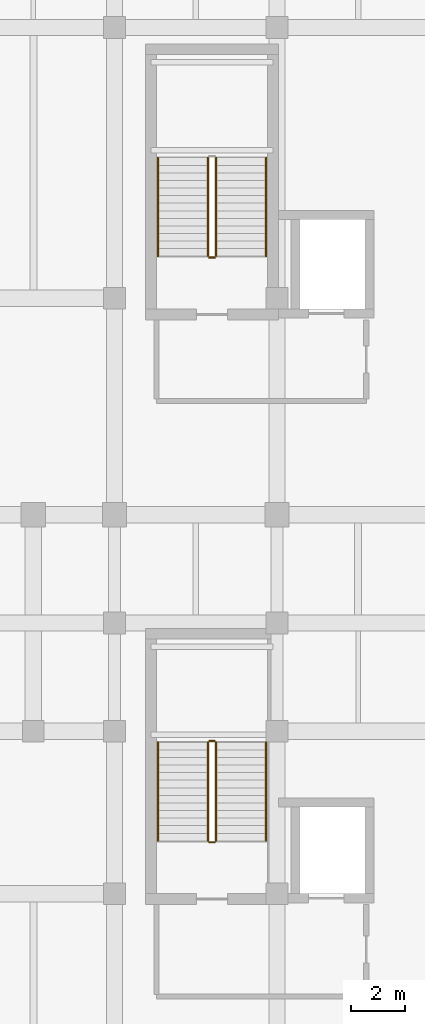
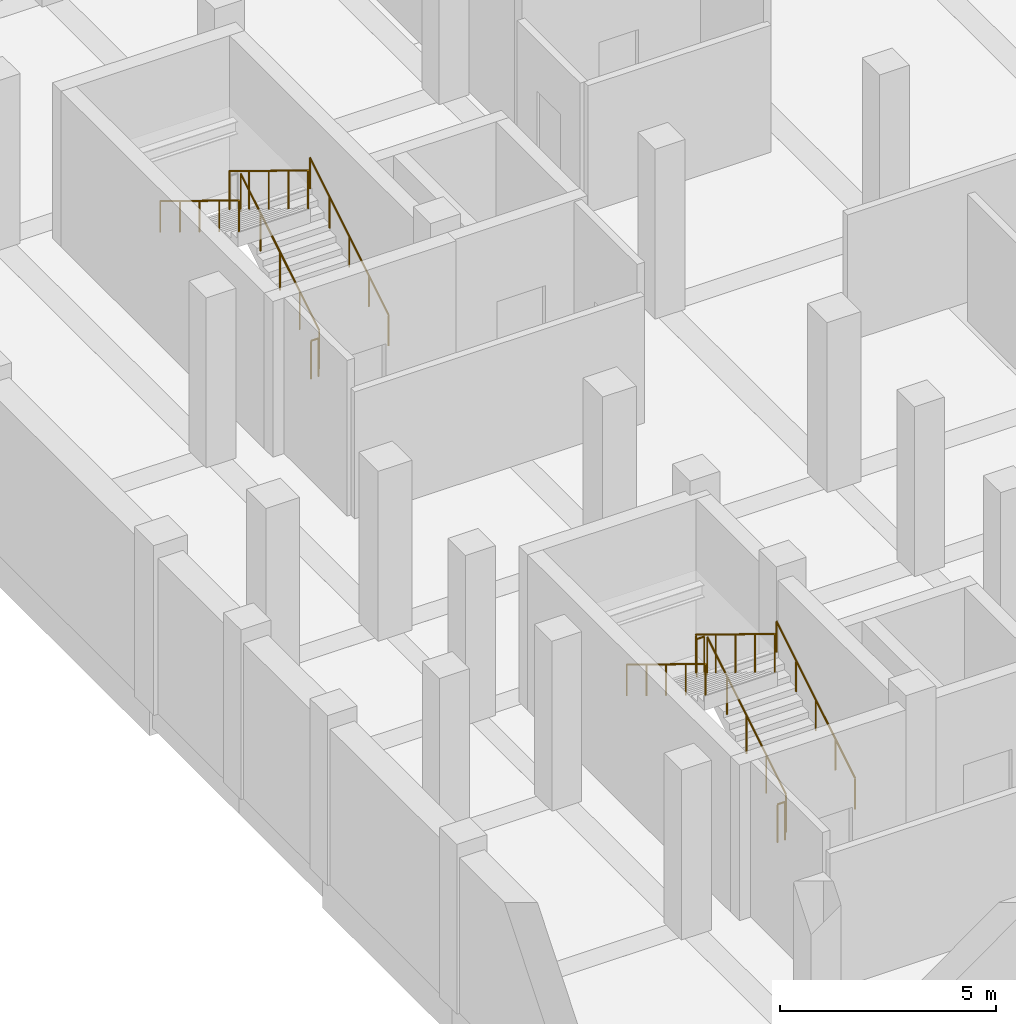
# One storey, part 30 of 36: 11 railings.
"""IFC4 building model written with IfcOpenShell, lengths in metres."""

from ifc_helpers import new_model, si_unit, direction, frame, origin, origin_2d, place, context, subcontext, project, spatial, circle, extrude, material, type_object, element, save


model = new_model("IFC4")

# Units and contexts
model_context = context("Model", 3, precision=1e-05, world=origin(), true_north=direction((0.0, 1.0)))
body_context = subcontext(model_context, "Body", "Model", "MODEL_VIEW")
ifc_project = project(units=[si_unit("LENGTHUNIT", "METRE"), si_unit("AREAUNIT", "SQUARE_METRE"), si_unit("VOLUMEUNIT", "CUBIC_METRE"), si_unit("PLANEANGLEUNIT", "RADIAN"), si_unit("MASSUNIT", "GRAM", prefix="KILO")], contexts=[model_context])

# Site, building, storey
site_placement = place(None, origin())
site = spatial("IfcSite", under=ifc_project, at=site_placement, CompositionType="ELEMENT")
building_placement = place(site_placement, origin())
building = spatial("IfcBuilding", under=site, at=building_placement, Name="Verrall Gate Interchange", CompositionType="ELEMENT")
storey_placement = place(building_placement, frame((0.0, 0.0, -4.800048828125)))
storey = spatial("IfcBuildingStorey", under=building, at=storey_placement, Name="B1", CompositionType="ELEMENT", Elevation=-4.800048828125)

# Railings
ifc_material_1 = material(Name="Brushed Stainless-Steel Guardrail and Handrail System", Category="steel")
railing_type_1 = type_object("IfcRailingType", Name="GR-02 Interior Atrium and Stair Guardrail 1100", PredefinedType="GUARDRAIL", material=ifc_material_1)
railing_1_placement = place(storey_placement, frame((9.75, 35.949951171875, 0.17138671875)))
element("IfcRailing", 1, at=railing_1_placement, inside=storey, type_object=railing_type_1, Name="B1 ST-02 stair guard 1", PredefinedType="GUARDRAIL", context=body_context, shape_type="SweptSolid", body=[
    extrude(circle(Radius=0.02392578125, at=origin_2d()), frame((0.0, 0.0, 1.076171875), z_axis=(0.0, 0.852840387347, 0.522171689878), x_axis=(-1.0, 0.0, 0.0)), (0.0, 0.0, 1.0), 4.268310546875),
    extrude(circle(Radius=0.02099609375, at=origin_2d()), origin(), (0.0, 0.0, 1.0), 1.052001953125),
    extrude(circle(Radius=0.02099609375, at=origin_2d()), frame((0.0, 0.91015625, 0.55712890625)), (0.0, 0.0, 1.0), 1.052001953125),
    extrude(circle(Radius=0.02099609375, at=origin_2d()), frame((0.0, 1.820068359375, 1.1142578125)), (0.0, 0.0, 1.0), 1.052001953125),
    extrude(circle(Radius=0.02099609375, at=origin_2d()), frame((0.0, 2.72998046875, 1.671630859375)), (0.0, 0.0, 1.0), 1.052001953125),
    extrude(circle(Radius=0.02099609375, at=origin_2d()), frame((0.0, 3.64013671875, 2.228759765625)), (0.0, 0.0, 1.0), 1.052001953125),
])
railing_2_placement = place(storey_placement, frame((9.699951171875, 39.639892578125, 2.400146484375)))
element("IfcRailing", 2, at=railing_2_placement, inside=storey, type_object=railing_type_1, Name="B1 ST-02 stair guard 2", PredefinedType="GUARDRAIL", context=body_context, shape_type="SweptSolid", body=[
    extrude(circle(Radius=0.02392578125, at=origin_2d()), frame((0.0, 0.0, 1.076171875), z_axis=(-1.0, 0.0, 0.0), x_axis=(0.0, -1.0, 0.0)), (0.0, 0.0, 1.0), 0.199951171875),
    extrude(circle(Radius=0.02099609375, at=origin_2d()), origin(), (0.0, 0.0, 1.0), 1.052001953125),
    extrude(circle(Radius=0.02099609375, at=origin_2d()), frame((-0.199951171875, 0.0, 0.0)), (0.0, 0.0, 1.0), 1.052001953125),
])
railing_3_placement = place(storey_placement, frame((9.449951171875, 39.590087890625, 2.571533203125)))
element("IfcRailing", 3, at=railing_3_placement, inside=storey, type_object=railing_type_1, Name="B1 ST-02 stair guard 3", PredefinedType="GUARDRAIL", context=body_context, shape_type="SweptSolid", body=[
    extrude(circle(Radius=0.02392578125, at=origin_2d()), frame((0.0, 0.0, 1.076171875), z_axis=(0.0, -0.852865859571, 0.52213008492), x_axis=(1.0, 0.0, 0.0)), (0.0, 0.0, 1.0), 4.26806640625),
    extrude(circle(Radius=0.02099609375, at=origin_2d()), origin(), (0.0, 0.0, 1.0), 1.052001953125),
    extrude(circle(Radius=0.02099609375, at=origin_2d()), frame((0.0, -0.91015625, 0.55712890625)), (0.0, 0.0, 1.0), 1.052001953125),
    extrude(circle(Radius=0.02099609375, at=origin_2d()), frame((0.0, -1.820068359375, 1.1142578125)), (0.0, 0.0, 1.0), 1.052001953125),
    extrude(circle(Radius=0.02099609375, at=origin_2d()), frame((0.0, -2.72998046875, 1.67138671875)), (0.0, 0.0, 1.0), 1.052001953125),
    extrude(circle(Radius=0.02099609375, at=origin_2d()), frame((0.0, -3.64013671875, 2.228515625)), (0.0, 0.0, 1.0), 1.052001953125),
])
railing_4_placement = place(storey_placement, frame((9.699951171875, 35.89990234375, 0.0)))
element("IfcRailing", 4, at=railing_4_placement, inside=storey, type_object=railing_type_1, Name="B1 ST-02 stair guard 4", PredefinedType="GUARDRAIL", context=body_context, shape_type="SweptSolid", body=[
    extrude(circle(Radius=0.02392578125, at=origin_2d()), frame((0.0, 0.0, 1.076171875), z_axis=(-1.0, 0.0, 0.0), x_axis=(0.0, -1.0, 0.0)), (0.0, 0.0, 1.0), 0.199951171875),
    extrude(circle(Radius=0.02099609375, at=origin_2d()), origin(), (0.0, 0.0, 1.0), 1.052001953125),
    extrude(circle(Radius=0.02099609375, at=origin_2d()), frame((-0.199951171875, 0.0, 0.0)), (0.0, 0.0, 1.0), 1.052001953125),
])
railing_5_placement = place(storey_placement, frame((9.75, 57.550048828125, 0.17138671875)))
element("IfcRailing", 5, at=railing_5_placement, inside=storey, type_object=railing_type_1, Name="B1 ST-03 stair guard 1", PredefinedType="GUARDRAIL", context=body_context, shape_type="SweptSolid", body=[
    extrude(circle(Radius=0.02392578125, at=origin_2d()), frame((0.0, 0.0, 1.076171875), z_axis=(0.0, 0.852824790078, 0.522197163366), x_axis=(-1.0, 0.0, 0.0)), (0.0, 0.0, 1.0), 4.26806640625),
    extrude(circle(Radius=0.02099609375, at=origin_2d()), origin(), (0.0, 0.0, 1.0), 1.052001953125),
    extrude(circle(Radius=0.02099609375, at=origin_2d()), frame((0.0, 0.909912109375, 0.55712890625)), (0.0, 0.0, 1.0), 1.052001953125),
    extrude(circle(Radius=0.02099609375, at=origin_2d()), frame((0.0, 1.81982421875, 1.1142578125)), (0.0, 0.0, 1.0), 1.052001953125),
    extrude(circle(Radius=0.02099609375, at=origin_2d()), frame((0.0, 2.72998046875, 1.671630859375)), (0.0, 0.0, 1.0), 1.052001953125),
    extrude(circle(Radius=0.02099609375, at=origin_2d()), frame((0.0, 3.639892578125, 2.228759765625)), (0.0, 0.0, 1.0), 1.052001953125),
])
railing_6_placement = place(storey_placement, frame((9.449951171875, 61.18994140625, 2.571533203125)))
element("IfcRailing", 6, at=railing_6_placement, inside=storey, type_object=railing_type_1, Name="B1 ST-03 stair guard 3", PredefinedType="GUARDRAIL", context=body_context, shape_type="SweptSolid", body=[
    extrude(circle(Radius=0.02392578125, at=origin_2d()), frame((0.0, 0.0, 1.076171875), z_axis=(0.0, -0.852850264322, 0.5221555579), x_axis=(1.0, 0.0, 0.0)), (0.0, 0.0, 1.0), 4.267822265625),
    extrude(circle(Radius=0.02099609375, at=origin_2d()), origin(), (0.0, 0.0, 1.0), 1.052001953125),
    extrude(circle(Radius=0.02099609375, at=origin_2d()), frame((0.0, -0.909912109375, 0.55712890625)), (0.0, 0.0, 1.0), 1.052001953125),
    extrude(circle(Radius=0.02099609375, at=origin_2d()), frame((0.0, -1.81982421875, 1.1142578125)), (0.0, 0.0, 1.0), 1.052001953125),
    extrude(circle(Radius=0.02099609375, at=origin_2d()), frame((0.0, -2.72998046875, 1.67138671875)), (0.0, 0.0, 1.0), 1.052001953125),
    extrude(circle(Radius=0.02099609375, at=origin_2d()), frame((0.0, -3.639892578125, 2.228515625)), (0.0, 0.0, 1.0), 1.052001953125),
])
railing_7_placement = place(storey_placement, frame((9.699951171875, 57.5, 0.0)))
element("IfcRailing", 7, at=railing_7_placement, inside=storey, type_object=railing_type_1, Name="B1 ST-03 stair guard 4", PredefinedType="GUARDRAIL", context=body_context, shape_type="SweptSolid", body=[
    extrude(circle(Radius=0.02392578125, at=origin_2d()), frame((0.0, 0.0, 1.076171875), z_axis=(-1.0, 0.0, 0.0), x_axis=(0.0, -1.0, 0.0)), (0.0, 0.0, 1.0), 0.199951171875),
    extrude(circle(Radius=0.02099609375, at=origin_2d()), origin(), (0.0, 0.0, 1.0), 1.052001953125),
    extrude(circle(Radius=0.02099609375, at=origin_2d()), frame((-0.199951171875, 0.0, 0.0)), (0.0, 0.0, 1.0), 1.052001953125),
])
ifc_material_2 = material(Name="Brushed Stainless-Steel Guardrail and Handrail System", Category="steel")
railing_type_2 = type_object("IfcRailingType", Name="HR-01 Stair and Ramp Pitch-Line Handrail 920", PredefinedType="HANDRAIL", material=ifc_material_2)
railing_8_placement = place(storey_placement, frame((11.60009765625, 35.949951171875, 0.17138671875)))
element("IfcRailing", 8, at=railing_8_placement, inside=storey, type_object=railing_type_2, Name="B1 ST-02 stair handrail 1", PredefinedType="HANDRAIL", context=body_context, shape_type="SweptSolid", body=[
    extrude(circle(Radius=0.02392578125, at=origin_2d()), frame((0.0, 0.0, 0.8759765625), z_axis=(0.0, 0.852840387347, 0.522171689878), x_axis=(-1.0, 0.0, 0.0)), (0.0, 0.0, 1.0), 4.268310546875),
    extrude(circle(Radius=0.02099609375, at=origin_2d()), origin(), (0.0, 0.0, 1.0), 0.851806640625),
    extrude(circle(Radius=0.02099609375, at=origin_2d()), frame((0.0, 0.91015625, 0.55712890625)), (0.0, 0.0, 1.0), 0.851806640625),
    extrude(circle(Radius=0.02099609375, at=origin_2d()), frame((0.0, 1.820068359375, 1.1142578125)), (0.0, 0.0, 1.0), 0.851806640625),
    extrude(circle(Radius=0.02099609375, at=origin_2d()), frame((0.0, 2.72998046875, 1.671630859375)), (0.0, 0.0, 1.0), 0.851806640625),
    extrude(circle(Radius=0.02099609375, at=origin_2d()), frame((0.0, 3.64013671875, 2.228759765625)), (0.0, 0.0, 1.0), 0.851806640625),
])
railing_9_placement = place(storey_placement, frame((7.60009765625, 39.590087890625, 2.571533203125)))
element("IfcRailing", 9, at=railing_9_placement, inside=storey, type_object=railing_type_2, Name="B1 ST-02 stair handrail 2", PredefinedType="HANDRAIL", context=body_context, shape_type="SweptSolid", body=[
    extrude(circle(Radius=0.02392578125, at=origin_2d()), frame((0.0, 0.0, 0.8759765625), z_axis=(0.0, -0.852865859571, 0.52213008492), x_axis=(1.0, 0.0, 0.0)), (0.0, 0.0, 1.0), 4.26806640625),
    extrude(circle(Radius=0.02099609375, at=origin_2d()), origin(), (0.0, 0.0, 1.0), 0.851806640625),
    extrude(circle(Radius=0.02099609375, at=origin_2d()), frame((0.0, -0.91015625, 0.55712890625)), (0.0, 0.0, 1.0), 0.851806640625),
    extrude(circle(Radius=0.02099609375, at=origin_2d()), frame((0.0, -1.820068359375, 1.1142578125)), (0.0, 0.0, 1.0), 0.851806640625),
    extrude(circle(Radius=0.02099609375, at=origin_2d()), frame((0.0, -2.72998046875, 1.67138671875)), (0.0, 0.0, 1.0), 0.851806640625),
    extrude(circle(Radius=0.02099609375, at=origin_2d()), frame((0.0, -3.64013671875, 2.228515625)), (0.0, 0.0, 1.0), 0.851806640625),
])
railing_10_placement = place(storey_placement, frame((11.60009765625, 57.550048828125, 0.17138671875)))
element("IfcRailing", 10, at=railing_10_placement, inside=storey, type_object=railing_type_2, Name="B1 ST-03 stair handrail 1", PredefinedType="HANDRAIL", context=body_context, shape_type="SweptSolid", body=[
    extrude(circle(Radius=0.02392578125, at=origin_2d()), frame((0.0, 0.0, 0.8759765625), z_axis=(0.0, 0.852824790078, 0.522197163366), x_axis=(-1.0, 0.0, 0.0)), (0.0, 0.0, 1.0), 4.26806640625),
    extrude(circle(Radius=0.02099609375, at=origin_2d()), origin(), (0.0, 0.0, 1.0), 0.851806640625),
    extrude(circle(Radius=0.02099609375, at=origin_2d()), frame((0.0, 0.909912109375, 0.55712890625)), (0.0, 0.0, 1.0), 0.851806640625),
    extrude(circle(Radius=0.02099609375, at=origin_2d()), frame((0.0, 1.81982421875, 1.1142578125)), (0.0, 0.0, 1.0), 0.851806640625),
    extrude(circle(Radius=0.02099609375, at=origin_2d()), frame((0.0, 2.72998046875, 1.671630859375)), (0.0, 0.0, 1.0), 0.851806640625),
    extrude(circle(Radius=0.02099609375, at=origin_2d()), frame((0.0, 3.639892578125, 2.228759765625)), (0.0, 0.0, 1.0), 0.851806640625),
])
railing_11_placement = place(storey_placement, frame((7.60009765625, 61.18994140625, 2.571533203125)))
element("IfcRailing", 11, at=railing_11_placement, inside=storey, type_object=railing_type_2, Name="B1 ST-03 stair handrail 2", PredefinedType="HANDRAIL", context=body_context, shape_type="SweptSolid", body=[
    extrude(circle(Radius=0.02392578125, at=origin_2d()), frame((0.0, 0.0, 0.8759765625), z_axis=(0.0, -0.852850264322, 0.5221555579), x_axis=(1.0, 0.0, 0.0)), (0.0, 0.0, 1.0), 4.267822265625),
    extrude(circle(Radius=0.02099609375, at=origin_2d()), origin(), (0.0, 0.0, 1.0), 0.851806640625),
    extrude(circle(Radius=0.02099609375, at=origin_2d()), frame((0.0, -0.909912109375, 0.55712890625)), (0.0, 0.0, 1.0), 0.851806640625),
    extrude(circle(Radius=0.02099609375, at=origin_2d()), frame((0.0, -1.81982421875, 1.1142578125)), (0.0, 0.0, 1.0), 0.851806640625),
    extrude(circle(Radius=0.02099609375, at=origin_2d()), frame((0.0, -2.72998046875, 1.67138671875)), (0.0, 0.0, 1.0), 0.851806640625),
    extrude(circle(Radius=0.02099609375, at=origin_2d()), frame((0.0, -3.639892578125, 2.228515625)), (0.0, 0.0, 1.0), 0.851806640625),
])

save(model, "model.ifc")
